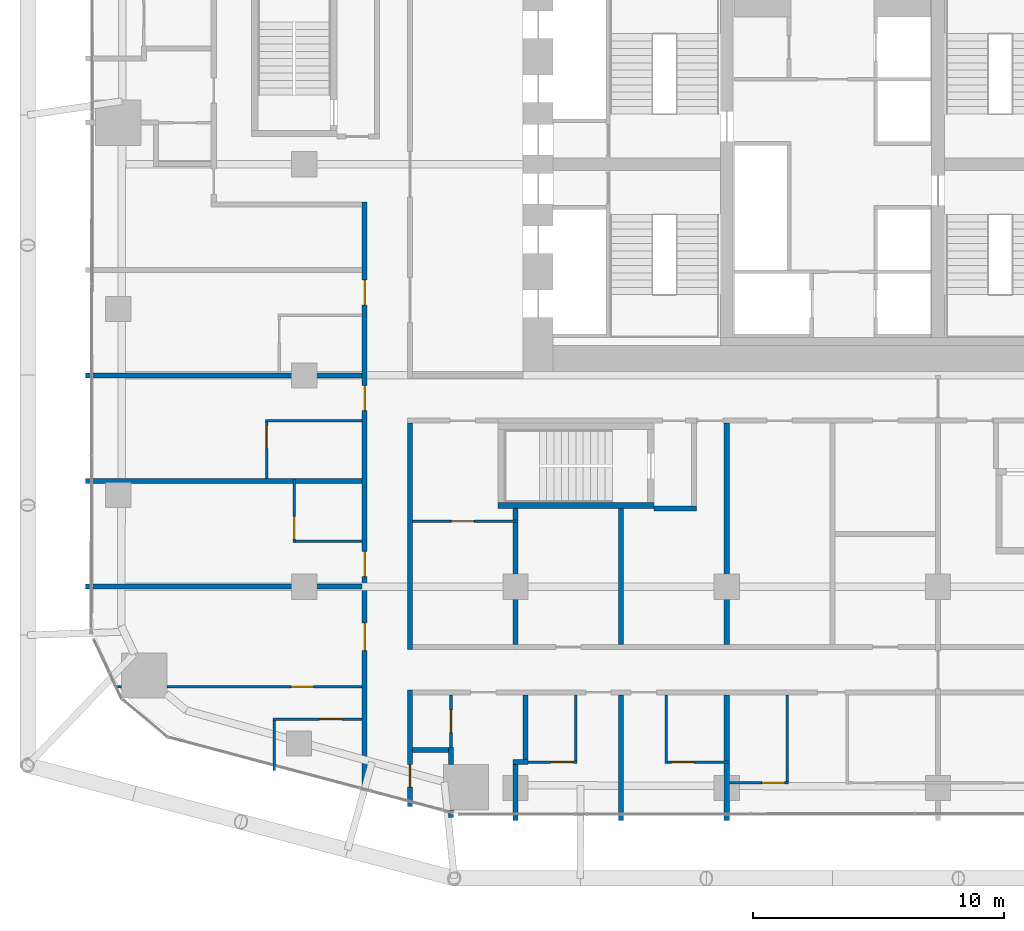
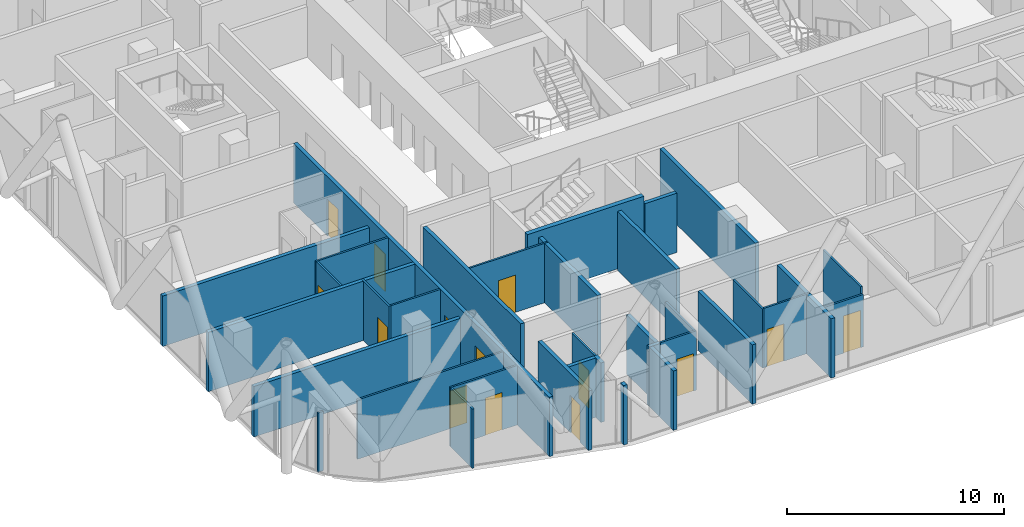
# One storey, part 28 of 38: 35 walls, 14 doors, 14 openings.
"""IFC4 building model written with IfcOpenShell, lengths in metres."""

from ifc_helpers import new_model, si_unit, direction, frame, frame_2d, origin, place, context, subcontext, project, spatial, rectangle, extrude, material, layer, layer_set, type_object, element, fill, save


model = new_model("IFC4")

# Units and contexts
model_context = context("Model", 3, precision=1e-05, world=origin(), true_north=direction((0.0, 1.0)))
body_context = subcontext(model_context, "Body", "Model", "MODEL_VIEW")
ifc_project = project(units=[si_unit("LENGTHUNIT", "METRE"), si_unit("AREAUNIT", "SQUARE_METRE"), si_unit("VOLUMEUNIT", "CUBIC_METRE"), si_unit("PLANEANGLEUNIT", "RADIAN"), si_unit("MASSUNIT", "GRAM", prefix="KILO")], contexts=[model_context])

# Site, building, storey
site_placement = place(None, origin())
site = spatial("IfcSite", under=ifc_project, at=site_placement, CompositionType="ELEMENT")
building_placement = place(site_placement, origin())
building = spatial("IfcBuilding", under=site, at=building_placement, Name="Marenta Gate Hotel Tower", CompositionType="ELEMENT")
storey_placement = place(building_placement, frame((0.0, 0.0, 54.5)))
storey = spatial("IfcBuildingStorey", under=building, at=storey_placement, Name="L11", CompositionType="ELEMENT", Elevation=54.5)

# Wall
ifc_material_1 = material(Name="Concrete C40", Category="concrete")
ifc_layer_1 = layer(ifc_material_1, 0.25)
ifc_layer_set_1 = layer_set([ifc_layer_1], Name="Concrete C40")
wall_type_1 = type_object("IfcWallType", Name="Remote stair enclosure wall 250 REI 180", PredefinedType="SHEAR", material=ifc_layer_set_1)
wall_1_placement = place(storey_placement, frame((-13.300048828125, -5.175048828125, 0.10009765625), z_axis=(0.0, 0.0, 1.0), x_axis=(1.0, 0.0, 0.0)))
element("IfcWall", 1, at=wall_1_placement, inside=storey, type_object=wall_type_1, Name="L11-RS-Z1-2-W1", PredefinedType="SHEAR", context=body_context, shape_type="SweptSolid", body=[
    extrude(rectangle(XDim=6.199951171875, YDim=0.25, at=frame_2d((3.10009765625, 0.0))), origin(), (0.0, 0.0, 1.0), 3.599853515625),
])

# Wall, opening, door
ifc_material_2 = material(Name="Concrete blockwork", Category="masonry")
ifc_layer_2 = layer(ifc_material_2, 0.199951171875)
ifc_layer_set_2 = layer_set([ifc_layer_2], Name="Concrete blockwork")
wall_type_2 = type_object("IfcWallType", Name="Room corridor wall 200 EI 120", PredefinedType="PARTITIONING", material=ifc_layer_set_2)
wall_2_placement = place(storey_placement, frame((-16.800048828125, -17.14306640625, 0.0), z_axis=(0.0, 0.0, 1.0), x_axis=(0.0, 1.0, 0.0)))
wall_2 = element("IfcWall", 2, at=wall_2_placement, inside=storey, type_object=wall_type_2, Name="L11-PTN-W109", PredefinedType="PARTITIONING", context=body_context, shape_type="SweptSolid", body=[
    extrude(rectangle(XDim=4.64306640625, YDim=0.199951171875, at=frame_2d((2.321533203125, 0.0))), origin(), (0.0, 0.0, 1.0), 3.340087890625),
])
opening_1_placement = place(wall_2_placement, frame((0.77197265625, 0.0, 0.0)))
opening_1 = element("IfcOpeningElement", 3, at=opening_1_placement, cuts=wall_2, Name="Opening G04-82", PredefinedType="OPENING", context=body_context, shape_type="SweptSolid", body=[
    extrude(rectangle(XDim=0.89990234375, YDim=2.10009765625, at=frame_2d((0.449951171875, 1.050048828125))), frame((0.0, 0.10009765625, 0.0), z_axis=(0.0, -1.0, 0.0), x_axis=(1.0, 0.0, 0.0)), (0.0, 0.0, 1.0), 0.199951171875),
])
ifc_material_3 = material(Name="Hollow steel door set", Category="steel")
door_type_1 = type_object("IfcDoorType", Name="Room service door 900x2100 EI 60", OperationType="NOTDEFINED", PredefinedType="DOOR", material=ifc_material_3)
door_1_placement = place(opening_1_placement, origin())
door_1 = element("IfcDoor", 4, at=door_1_placement, inside=storey, type_object=door_type_1, Name="L11-PD-D082", OperationType="SINGLE_SWING_LEFT", OverallHeight=2.10009765625, OverallWidth=0.89990234375, PredefinedType="DOOR", context=body_context, shape_type="SweptSolid", body=[
    extrude(rectangle(XDim=0.89990234375, YDim=2.10009765625, at=frame_2d((0.449951171875, 1.050048828125))), frame((0.0, 0.02490234375, 0.0), z_axis=(0.0, -1.0, 0.0), x_axis=(1.0, 0.0, 0.0)), (0.0, 0.0, 1.0), 0.050048828125),
])
fill(opening_1, door_1)

# Wall
ifc_material_4 = material(Name="Gypsum board on steel stud", Category="steel")
ifc_layer_3 = layer(ifc_material_4, 0.199951171875)
ifc_layer_set_3 = layer_set([ifc_layer_3], Name="Gypsum board on steel stud")
wall_type_3 = type_object("IfcWallType", Name="Room corridor wall 200 EI 60", PredefinedType="PARTITIONING", material=ifc_layer_set_3)
wall_3_placement = place(storey_placement, frame((-16.800048828125, -10.89990234375, 0.0), z_axis=(0.0, 0.0, 1.0), x_axis=(0.0, 1.0, 0.0)))
element("IfcWall", 5, at=wall_3_placement, inside=storey, type_object=wall_type_3, Name="L11-PTN-W110", PredefinedType="PARTITIONING", context=body_context, shape_type="SweptSolid", body=[
    extrude(rectangle(XDim=9.0, YDim=0.199951171875, at=frame_2d((4.5, 0.0))), origin(), (0.0, 0.0, 1.0), 3.340087890625),
])

# Wall, openings, doors
wall_4_placement = place(storey_placement, frame((-18.60009765625, -16.6650390625, 0.0), z_axis=(0.0, 0.0, 1.0), x_axis=(0.0, 1.0, 0.0)))
wall_4 = element("IfcWall", 6, at=wall_4_placement, inside=storey, type_object=wall_type_3, Name="L11-PTN-W118", PredefinedType="PARTITIONING", context=body_context, shape_type="SweptSolid", body=[
    extrude(rectangle(XDim=23.56494140625, YDim=0.199951171875, at=frame_2d((11.782470703125, 0.0))), origin(), (0.0, 0.0, 1.0), 3.340087890625),
])
opening_2_placement = place(wall_4_placement, frame((5.72412109375, 0.0, 0.0)))
opening_2 = element("IfcOpeningElement", 7, at=opening_2_placement, cuts=wall_4, Name="Opening G04-50", PredefinedType="OPENING", context=body_context, shape_type="SweptSolid", body=[
    extrude(rectangle(XDim=1.10009765625, YDim=2.10009765625, at=frame_2d((0.550048828125, 1.050048828125))), frame((0.0, 0.10009765625, 0.0), z_axis=(0.0, -1.0, 0.0), x_axis=(1.0, 0.0, 0.0)), (0.0, 0.0, 1.0), 0.199951171875),
])
opening_3_placement = place(wall_4_placement, frame((8.6650390625, 0.0, 0.0)))
opening_3 = element("IfcOpeningElement", 8, at=opening_3_placement, cuts=wall_4, Name="Opening G04-53", PredefinedType="OPENING", context=body_context, shape_type="SweptSolid", body=[
    extrude(rectangle(XDim=1.0, YDim=2.10009765625, at=frame_2d((0.5, 1.050048828125))), frame((0.0, 0.10009765625, 0.0), z_axis=(0.0, -1.0, 0.0), x_axis=(1.0, 0.0, 0.0)), (0.0, 0.0, 1.0), 0.199951171875),
])
opening_4_placement = place(wall_4_placement, frame((15.264892578125, 0.0, 0.0)))
opening_4 = element("IfcOpeningElement", 9, at=opening_4_placement, cuts=wall_4, Name="Opening G04-55", PredefinedType="OPENING", context=body_context, shape_type="SweptSolid", body=[
    extrude(rectangle(XDim=1.0, YDim=2.10009765625, at=frame_2d((0.5, 1.050048828125))), frame((0.0, 0.10009765625, 0.0), z_axis=(0.0, -1.0, 0.0), x_axis=(1.0, 0.0, 0.0)), (0.0, 0.0, 1.0), 0.199951171875),
])
opening_5_placement = place(wall_4_placement, frame((19.465087890625, 0.0, 0.0)))
opening_5 = element("IfcOpeningElement", 10, at=opening_5_placement, cuts=wall_4, Name="Opening G04-57", PredefinedType="OPENING", context=body_context, shape_type="SweptSolid", body=[
    extrude(rectangle(XDim=1.0, YDim=2.10009765625, at=frame_2d((0.5, 1.050048828125))), frame((0.0, 0.10009765625, 0.0), z_axis=(0.0, -1.0, 0.0), x_axis=(1.0, 0.0, 0.0)), (0.0, 0.0, 1.0), 0.199951171875),
])
ifc_material_5 = material(Name="Timber door leaf", Category="wood")
door_type_2 = type_object("IfcDoorType", Name="Guest room door 1000x2100 EI 30", OperationType="NOTDEFINED", PredefinedType="DOOR", material=ifc_material_5)
door_2_placement = place(opening_3_placement, origin())
door_2 = element("IfcDoor", 11, at=door_2_placement, inside=storey, type_object=door_type_2, Name="L11-PD-D053", OperationType="SINGLE_SWING_RIGHT", OverallHeight=2.10009765625, OverallWidth=1.0, PredefinedType="DOOR", context=body_context, shape_type="SweptSolid", body=[
    extrude(rectangle(XDim=1.0, YDim=2.10009765625, at=frame_2d((0.5, 1.050048828125))), frame((0.0, 0.02490234375, 0.0), z_axis=(0.0, -1.0, 0.0), x_axis=(1.0, 0.0, 0.0)), (0.0, 0.0, 1.0), 0.050048828125),
])
fill(opening_3, door_2)
door_3_placement = place(opening_4_placement, origin())
door_3 = element("IfcDoor", 12, at=door_3_placement, inside=storey, type_object=door_type_2, Name="L11-PD-D055", OperationType="SINGLE_SWING_RIGHT", OverallHeight=2.10009765625, OverallWidth=1.0, PredefinedType="DOOR", context=body_context, shape_type="SweptSolid", body=[
    extrude(rectangle(XDim=1.0, YDim=2.10009765625, at=frame_2d((0.5, 1.050048828125))), frame((0.0, 0.02490234375, 0.0), z_axis=(0.0, -1.0, 0.0), x_axis=(1.0, 0.0, 0.0)), (0.0, 0.0, 1.0), 0.050048828125),
])
fill(opening_4, door_3)
door_4_placement = place(opening_5_placement, origin())
door_4 = element("IfcDoor", 13, at=door_4_placement, inside=storey, type_object=door_type_2, Name="L11-PD-D057", OperationType="SINGLE_SWING_RIGHT", OverallHeight=2.10009765625, OverallWidth=1.0, PredefinedType="DOOR", context=body_context, shape_type="SweptSolid", body=[
    extrude(rectangle(XDim=1.0, YDim=2.10009765625, at=frame_2d((0.5, 1.050048828125))), frame((0.0, 0.02490234375, 0.0), z_axis=(0.0, -1.0, 0.0), x_axis=(1.0, 0.0, 0.0)), (0.0, 0.0, 1.0), 0.050048828125),
])
fill(opening_5, door_4)
ifc_material_6 = material(Name="Timber door leaf", Category="wood")
door_type_3 = type_object("IfcDoorType", Name="Guest room door 1100x2100 EI 30", OperationType="NOTDEFINED", PredefinedType="DOOR", material=ifc_material_6)
door_5_placement = place(opening_2_placement, origin())
door_5 = element("IfcDoor", 14, at=door_5_placement, inside=storey, type_object=door_type_3, Name="L11-PD-D050", OperationType="SINGLE_SWING_RIGHT", OverallHeight=2.10009765625, OverallWidth=1.10009765625, PredefinedType="DOOR", context=body_context, shape_type="SweptSolid", body=[
    extrude(rectangle(XDim=1.10009765625, YDim=2.10009765625, at=frame_2d((0.550048828125, 1.050048828125))), frame((0.0, 0.02490234375, 0.0), z_axis=(0.0, -1.0, 0.0), x_axis=(1.0, 0.0, 0.0)), (0.0, 0.0, 1.0), 0.050048828125),
])
fill(opening_2, door_5)

# Wall, opening, door
ifc_material_7 = material(Name="Gypsum board on steel stud", Category="steel")
ifc_layer_4 = layer(ifc_material_7, 0.10009765625)
ifc_layer_set_4 = layer_set([ifc_layer_4], Name="Gypsum board on steel stud")
wall_type_4 = type_object("IfcWallType", Name="Room partition 100", PredefinedType="PARTITIONING", material=ifc_layer_set_4)
wall_5_placement = place(storey_placement, frame((-4.10009765625, -16.199951171875, 0.0), z_axis=(0.0, 0.0, 1.0), x_axis=(1.0, 0.0, 0.0)))
wall_5 = element("IfcWall", 15, at=wall_5_placement, inside=storey, type_object=wall_type_4, Name="L11-PTN-W014", PredefinedType="PARTITIONING", context=body_context, shape_type="SweptSolid", body=[
    extrude(rectangle(XDim=2.35009765625, YDim=0.10009765625, at=frame_2d((1.175048828125, 0.0))), origin(), (0.0, 0.0, 1.0), 2.93994140625),
])
opening_6_placement = place(wall_5_placement, frame((1.300048828125, 0.0, 0.0)))
opening_6 = element("IfcOpeningElement", 16, at=opening_6_placement, cuts=wall_5, Name="Opening G04-46", PredefinedType="OPENING", context=body_context, shape_type="SweptSolid", body=[
    extrude(rectangle(XDim=0.89990234375, YDim=2.10009765625, at=frame_2d((0.449951171875, 1.050048828125))), frame((0.0, 0.050048828125, 0.0), z_axis=(0.0, -1.0, 0.0), x_axis=(1.0, 0.0, 0.0)), (0.0, 0.0, 1.0), 0.10009765625),
])
ifc_material_8 = material(Name="Timber door leaf", Category="wood")
door_type_4 = type_object("IfcDoorType", Name="Room inner door 900x2100", OperationType="NOTDEFINED", PredefinedType="DOOR", material=ifc_material_8)
door_6_placement = place(opening_6_placement, origin())
door_6 = element("IfcDoor", 17, at=door_6_placement, inside=storey, type_object=door_type_4, Name="L11-PD-D046", OperationType="SINGLE_SWING_RIGHT", OverallHeight=2.10009765625, OverallWidth=0.89990234375, PredefinedType="DOOR", context=body_context, shape_type="SweptSolid", body=[
    extrude(rectangle(XDim=0.89990234375, YDim=2.10009765625, at=frame_2d((0.449951171875, 1.050048828125))), frame((0.0, 0.02490234375, 0.0), z_axis=(0.0, -1.0, 0.0), x_axis=(1.0, 0.0, 0.0)), (0.0, 0.0, 1.0), 0.050048828125),
])
fill(opening_6, door_6)

wall_6_placement = place(storey_placement, frame((-12.10009765625, -15.375, 0.0), z_axis=(0.0, 0.0, 1.0), x_axis=(1.0, 0.0, 0.0)))
wall_6 = element("IfcWall", 18, at=wall_6_placement, inside=storey, type_object=wall_type_4, Name="L11-PTN-W019", PredefinedType="PARTITIONING", context=body_context, shape_type="SweptSolid", body=[
    extrude(rectangle(XDim=1.9501953125, YDim=0.10009765625, at=frame_2d((0.97509765625, 0.0))), origin(), (0.0, 0.0, 1.0), 3.340087890625),
])
opening_7_placement = place(wall_6_placement, frame((0.89990234375, 0.0, 0.0)))
opening_7 = element("IfcOpeningElement", 19, at=opening_7_placement, cuts=wall_6, Name="Opening G04-41", PredefinedType="OPENING", context=body_context, shape_type="SweptSolid", body=[
    extrude(rectangle(XDim=0.89990234375, YDim=2.10009765625, at=frame_2d((0.449951171875, 1.050048828125))), frame((0.0, 0.050048828125, 0.0), z_axis=(0.0, -1.0, 0.0), x_axis=(1.0, 0.0, 0.0)), (0.0, 0.0, 1.0), 0.10009765625),
])
ifc_material_9 = material(Name="Timber door leaf", Category="wood")
door_type_5 = type_object("IfcDoorType", Name="Guest bathroom door 900x2100", OperationType="NOTDEFINED", PredefinedType="DOOR", material=ifc_material_9)
door_7_placement = place(opening_7_placement, origin())
door_7 = element("IfcDoor", 20, at=door_7_placement, inside=storey, type_object=door_type_5, Name="L11-PD-D041", OperationType="SINGLE_SWING_RIGHT", OverallHeight=2.10009765625, OverallWidth=0.89990234375, PredefinedType="DOOR", context=body_context, shape_type="SweptSolid", body=[
    extrude(rectangle(XDim=0.89990234375, YDim=2.10009765625, at=frame_2d((0.449951171875, 1.050048828125))), frame((0.0, 0.02490234375, 0.0), z_axis=(0.0, -1.0, 0.0), x_axis=(1.0, 0.0, 0.0)), (0.0, 0.0, 1.0), 0.050048828125),
])
fill(opening_7, door_7)

wall_7_placement = place(storey_placement, frame((-6.550048828125, -15.375, 0.0), z_axis=(0.0, 0.0, 1.0), x_axis=(1.0, 0.0, 0.0)))
wall_7 = element("IfcWall", 21, at=wall_7_placement, inside=storey, type_object=wall_type_4, Name="L11-PTN-W020", PredefinedType="PARTITIONING", context=body_context, shape_type="SweptSolid", body=[
    extrude(rectangle(XDim=2.449951171875, YDim=0.10009765625, at=frame_2d((1.22509765625, 0.0))), origin(), (0.0, 0.0, 1.0), 3.340087890625),
])
opening_8_placement = place(wall_7_placement, frame((0.14990234375, 0.0, 0.0)))
opening_8 = element("IfcOpeningElement", 22, at=opening_8_placement, cuts=wall_7, Name="Opening G04-43", PredefinedType="OPENING", context=body_context, shape_type="SweptSolid", body=[
    extrude(rectangle(XDim=0.89990234375, YDim=2.10009765625, at=frame_2d((0.449951171875, 1.050048828125))), frame((0.0, 0.050048828125, 0.0), z_axis=(0.0, -1.0, 0.0), x_axis=(1.0, 0.0, 0.0)), (0.0, 0.0, 1.0), 0.10009765625),
])
door_8_placement = place(opening_8_placement, origin())
door_8 = element("IfcDoor", 23, at=door_8_placement, inside=storey, type_object=door_type_5, Name="L11-PD-D043", OperationType="SINGLE_SWING_LEFT", OverallHeight=2.10009765625, OverallWidth=0.89990234375, PredefinedType="DOOR", context=body_context, shape_type="SweptSolid", body=[
    extrude(rectangle(XDim=0.89990234375, YDim=2.10009765625, at=frame_2d((0.449951171875, 1.050048828125))), frame((0.0, 0.02490234375, 0.0), z_axis=(0.0, -1.0, 0.0), x_axis=(1.0, 0.0, 0.0)), (0.0, 0.0, 1.0), 0.050048828125),
])
fill(opening_8, door_8)

wall_8_placement = place(storey_placement, frame((-22.25, -13.6650390625, 0.0), z_axis=(0.0, 0.0, 1.0), x_axis=(1.0, 0.0, 0.0)))
wall_8 = element("IfcWall", 24, at=wall_8_placement, inside=storey, type_object=wall_type_4, Name="L11-PTN-W027", PredefinedType="PARTITIONING", context=body_context, shape_type="SweptSolid", body=[
    extrude(rectangle(XDim=3.550048828125, YDim=0.10009765625, at=frame_2d((1.77490234375, 0.0))), origin(), (0.0, 0.0, 1.0), 3.340087890625),
])
opening_9_placement = place(wall_8_placement, frame((1.85009765625, 0.0, 0.0)))
opening_9 = element("IfcOpeningElement", 25, at=opening_9_placement, cuts=wall_8, Name="Opening G04-52", PredefinedType="OPENING", context=body_context, shape_type="SweptSolid", body=[
    extrude(rectangle(XDim=0.89990234375, YDim=2.10009765625, at=frame_2d((0.449951171875, 1.050048828125))), frame((0.0, 0.050048828125, 0.0), z_axis=(0.0, -1.0, 0.0), x_axis=(1.0, 0.0, 0.0)), (0.0, 0.0, 1.0), 0.10009765625),
])
door_9_placement = place(opening_9_placement, origin())
door_9 = element("IfcDoor", 26, at=door_9_placement, inside=storey, type_object=door_type_5, Name="L11-PD-D052", OperationType="SINGLE_SWING_RIGHT", OverallHeight=2.10009765625, OverallWidth=0.89990234375, PredefinedType="DOOR", context=body_context, shape_type="SweptSolid", body=[
    extrude(rectangle(XDim=0.89990234375, YDim=2.10009765625, at=frame_2d((0.449951171875, 1.050048828125))), frame((0.0, 0.02490234375, 0.0), z_axis=(0.0, -1.0, 0.0), x_axis=(1.0, 0.0, 0.0)), (0.0, 0.0, 1.0), 0.050048828125),
])
fill(opening_9, door_9)

# Wall
wall_9_placement = place(storey_placement, frame((-28.552978515625, -12.383056640625, 0.0), z_axis=(0.0, 0.0, 1.0), x_axis=(1.0, 0.0, 0.0)))
element("IfcWall", 27, at=wall_9_placement, inside=storey, type_object=wall_type_4, Name="L11-PTN-W031", PredefinedType="PARTITIONING", context=body_context, shape_type="SweptSolid", body=[
    extrude(rectangle(XDim=0.2900390625, YDim=0.10009765625, at=frame_2d((0.14501953125, 0.0))), origin(), (0.0, 0.0, 1.0), 3.340087890625),
])

# Wall, opening, door
wall_10_placement = place(storey_placement, frame((-26.462890625, -12.383056640625, 0.0), z_axis=(0.0, 0.0, 1.0), x_axis=(1.0, 0.0, 0.0)))
wall_10 = element("IfcWall", 28, at=wall_10_placement, inside=storey, type_object=wall_type_4, Name="L11-PTN-W157", PredefinedType="PARTITIONING", context=body_context, shape_type="SweptSolid", body=[
    extrude(rectangle(XDim=7.762939453125, YDim=0.10009765625, at=frame_2d((3.88134765625, 0.0))), origin(), (0.0, 0.0, 1.0), 3.340087890625),
])
opening_10_placement = place(wall_10_placement, frame((4.93310546875, 0.0, 0.0)))
opening_10 = element("IfcOpeningElement", 29, at=opening_10_placement, cuts=wall_10, Name="Opening G04-51", PredefinedType="OPENING", context=body_context, shape_type="SweptSolid", body=[
    extrude(rectangle(XDim=0.89990234375, YDim=2.10009765625, at=frame_2d((0.449951171875, 1.050048828125))), frame((0.0, 0.050048828125, 0.0), z_axis=(0.0, -1.0, 0.0), x_axis=(1.0, 0.0, 0.0)), (0.0, 0.0, 1.0), 0.10009765625),
])
door_10_placement = place(opening_10_placement, origin())
door_10 = element("IfcDoor", 30, at=door_10_placement, inside=storey, type_object=door_type_4, Name="L11-PD-D051", OperationType="SINGLE_SWING_LEFT", OverallHeight=2.10009765625, OverallWidth=0.89990234375, PredefinedType="DOOR", context=body_context, shape_type="SweptSolid", body=[
    extrude(rectangle(XDim=0.89990234375, YDim=2.10009765625, at=frame_2d((0.449951171875, 1.050048828125))), frame((0.0, 0.02490234375, 0.0), z_axis=(0.0, -1.0, 0.0), x_axis=(1.0, 0.0, 0.0)), (0.0, 0.0, 1.0), 0.050048828125),
])
fill(opening_10, door_10)

# Wall
wall_11_placement = place(storey_placement, frame((-21.35009765625, -6.60009765625, 0.0), z_axis=(0.0, 0.0, 1.0), x_axis=(1.0, 0.0, 0.0)))
element("IfcWall", 31, at=wall_11_placement, inside=storey, type_object=wall_type_4, Name="L11-PTN-W045", PredefinedType="PARTITIONING", context=body_context, shape_type="SweptSolid", body=[
    extrude(rectangle(XDim=2.650146484375, YDim=0.10009765625, at=frame_2d((1.3251953125, 0.0))), origin(), (0.0, 0.0, 1.0), 3.340087890625),
])

# Wall, opening, door
wall_12_placement = place(storey_placement, frame((-16.699951171875, -5.800048828125, 0.0), z_axis=(0.0, 0.0, 1.0), x_axis=(1.0, 0.0, 0.0)))
wall_12 = element("IfcWall", 32, at=wall_12_placement, inside=storey, type_object=wall_type_4, Name="L11-PTN-W050", PredefinedType="PARTITIONING", context=body_context, shape_type="SweptSolid", body=[
    extrude(rectangle(XDim=4.199951171875, YDim=0.10009765625, at=frame_2d((2.10009765625, 0.0))), origin(), (0.0, 0.0, 1.0), 3.340087890625),
])
opening_11_placement = place(wall_12_placement, frame((1.550048828125, 0.0, 0.0)))
opening_11 = element("IfcOpeningElement", 33, at=opening_11_placement, cuts=wall_12, Name="Opening G04-06", PredefinedType="OPENING", context=body_context, shape_type="SweptSolid", body=[
    extrude(rectangle(XDim=0.89990234375, YDim=2.10009765625, at=frame_2d((0.449951171875, 1.050048828125))), frame((0.0, 0.050048828125, 0.0), z_axis=(0.0, -1.0, 0.0), x_axis=(1.0, 0.0, 0.0)), (0.0, 0.0, 1.0), 0.10009765625),
])
door_11_placement = place(opening_11_placement, origin())
door_11 = element("IfcDoor", 34, at=door_11_placement, inside=storey, type_object=door_type_4, Name="L11-PD-D006", OperationType="SINGLE_SWING_RIGHT", OverallHeight=2.10009765625, OverallWidth=0.89990234375, PredefinedType="DOOR", context=body_context, shape_type="SweptSolid", body=[
    extrude(rectangle(XDim=0.89990234375, YDim=2.10009765625, at=frame_2d((0.449951171875, 1.050048828125))), frame((0.0, 0.02490234375, 0.0), z_axis=(0.0, -1.0, 0.0), x_axis=(1.0, 0.0, 0.0)), (0.0, 0.0, 1.0), 0.050048828125),
])
fill(opening_11, door_11)

# Walls
wall_13_placement = place(storey_placement, frame((-22.550048828125, -1.800048828125, 0.0), z_axis=(0.0, 0.0, 1.0), x_axis=(1.0, 0.0, 0.0)))
element("IfcWall", 35, at=wall_13_placement, inside=storey, type_object=wall_type_4, Name="L11-PTN-W061", PredefinedType="PARTITIONING", context=body_context, shape_type="SweptSolid", body=[
    extrude(rectangle(XDim=3.85009765625, YDim=0.10009765625, at=frame_2d((1.925048828125, 0.0))), origin(), (0.0, 0.0, 1.0), 3.340087890625),
])
wall_14_placement = place(storey_placement, frame((-1.800048828125, -16.14990234375, 0.0), z_axis=(0.0, 0.0, 1.0), x_axis=(0.0, 1.0, 0.0)))
element("IfcWall", 36, at=wall_14_placement, inside=storey, type_object=wall_type_4, Name="L11-PTN-W072", PredefinedType="PARTITIONING", context=body_context, shape_type="SweptSolid", body=[
    extrude(rectangle(XDim=3.449951171875, YDim=0.10009765625, at=frame_2d((1.72509765625, 0.0))), origin(), (0.0, 0.0, 1.0), 3.340087890625),
])
wall_15_placement = place(storey_placement, frame((-6.60009765625, -15.425048828125, 0.0), z_axis=(0.0, 0.0, 1.0), x_axis=(0.0, 1.0, 0.0)))
element("IfcWall", 37, at=wall_15_placement, inside=storey, type_object=wall_type_4, Name="L11-PTN-W084", PredefinedType="PARTITIONING", context=body_context, shape_type="SweptSolid", body=[
    extrude(rectangle(XDim=2.72509765625, YDim=0.10009765625, at=frame_2d((1.362548828125, 0.0))), origin(), (0.0, 0.0, 1.0), 3.340087890625),
])
wall_16_placement = place(storey_placement, frame((-10.199951171875, -15.324951171875, 0.0), z_axis=(0.0, 0.0, 1.0), x_axis=(0.0, 1.0, 0.0)))
element("IfcWall", 38, at=wall_16_placement, inside=storey, type_object=wall_type_4, Name="L11-PTN-W095", PredefinedType="PARTITIONING", context=body_context, shape_type="SweptSolid", body=[
    extrude(rectangle(XDim=2.625, YDim=0.10009765625, at=frame_2d((1.3125, 0.0))), origin(), (0.0, 0.0, 1.0), 3.340087890625),
])

# Wall, opening, door
wall_17_placement = place(storey_placement, frame((-15.166015625, -15.0, 0.0), z_axis=(0.0, 0.0, 1.0), x_axis=(0.0, 1.0, 0.0)))
wall_17 = element("IfcWall", 39, at=wall_17_placement, inside=storey, type_object=wall_type_4, Name="L11-PTN-W107", PredefinedType="PARTITIONING", context=body_context, shape_type="SweptSolid", body=[
    extrude(rectangle(XDim=2.300048828125, YDim=0.10009765625, at=frame_2d((1.14990234375, 0.0))), origin(), (0.0, 0.0, 1.0), 3.340087890625),
])
opening_12_placement = place(wall_17_placement, frame((0.800048828125, 0.0, 0.0)))
opening_12 = element("IfcOpeningElement", 40, at=opening_12_placement, cuts=wall_17, Name="Opening G04-81", PredefinedType="OPENING", context=body_context, shape_type="SweptSolid", body=[
    extrude(rectangle(XDim=0.89990234375, YDim=2.10009765625, at=frame_2d((0.449951171875, 1.050048828125))), frame((0.0, 0.050048828125, 0.0), z_axis=(0.0, -1.0, 0.0), x_axis=(1.0, 0.0, 0.0)), (0.0, 0.0, 1.0), 0.10009765625),
])
door_12_placement = place(opening_12_placement, origin())
door_12 = element("IfcDoor", 41, at=door_12_placement, inside=storey, type_object=door_type_5, Name="L11-PD-D081", OperationType="SINGLE_SWING_RIGHT", OverallHeight=2.10009765625, OverallWidth=0.89990234375, PredefinedType="DOOR", context=body_context, shape_type="SweptSolid", body=[
    extrude(rectangle(XDim=0.89990234375, YDim=2.10009765625, at=frame_2d((0.449951171875, 1.050048828125))), frame((0.0, 0.02490234375, 0.0), z_axis=(0.0, -1.0, 0.0), x_axis=(1.0, 0.0, 0.0)), (0.0, 0.0, 1.0), 0.050048828125),
])
fill(opening_12, door_12)

wall_18_placement = place(storey_placement, frame((-21.39990234375, -6.64990234375, 0.0), z_axis=(0.0, 0.0, 1.0), x_axis=(0.0, 1.0, 0.0)))
wall_18 = element("IfcWall", 42, at=wall_18_placement, inside=storey, type_object=wall_type_4, Name="L11-PTN-W124", PredefinedType="PARTITIONING", context=body_context, shape_type="SweptSolid", body=[
    extrude(rectangle(XDim=2.5498046875, YDim=0.10009765625, at=frame_2d((1.27490234375, 0.0))), origin(), (0.0, 0.0, 1.0), 3.340087890625),
])
opening_13_placement = place(wall_18_placement, frame((0.14990234375, 0.0, 0.0)))
opening_13 = element("IfcOpeningElement", 43, at=opening_13_placement, cuts=wall_18, Name="Opening G04-54", PredefinedType="OPENING", context=body_context, shape_type="SweptSolid", body=[
    extrude(rectangle(XDim=0.89990234375, YDim=2.10009765625, at=frame_2d((0.449951171875, 1.050048828125))), frame((0.0, 0.050048828125, 0.0), z_axis=(0.0, -1.0, 0.0), x_axis=(1.0, 0.0, 0.0)), (0.0, 0.0, 1.0), 0.10009765625),
])
door_13_placement = place(opening_13_placement, origin())
door_13 = element("IfcDoor", 44, at=door_13_placement, inside=storey, type_object=door_type_5, Name="L11-PD-D054", OperationType="SINGLE_SWING_RIGHT", OverallHeight=2.10009765625, OverallWidth=0.89990234375, PredefinedType="DOOR", context=body_context, shape_type="SweptSolid", body=[
    extrude(rectangle(XDim=0.89990234375, YDim=2.10009765625, at=frame_2d((0.449951171875, 1.050048828125))), frame((0.0, 0.02490234375, 0.0), z_axis=(0.0, -1.0, 0.0), x_axis=(1.0, 0.0, 0.0)), (0.0, 0.0, 1.0), 0.050048828125),
])
fill(opening_13, door_13)

# Wall
wall_19_placement = place(storey_placement, frame((-22.199951171875, -15.7099609375, 0.0), z_axis=(0.0, 0.0, 1.0), x_axis=(0.0, 1.0, 0.0)))
element("IfcWall", 45, at=wall_19_placement, inside=storey, type_object=wall_type_4, Name="L11-PTN-W130", PredefinedType="PARTITIONING", context=body_context, shape_type="SweptSolid", body=[
    extrude(rectangle(XDim=1.994873046875, YDim=0.10009765625, at=frame_2d((0.99755859375, 0.0))), origin(), (0.0, 0.0, 1.0), 3.340087890625),
])

# Wall, opening, door
wall_20_placement = place(storey_placement, frame((-22.5, -4.10009765625, 0.0), z_axis=(0.0, 0.0, 1.0), x_axis=(0.0, 1.0, 0.0)))
wall_20 = element("IfcWall", 46, at=wall_20_placement, inside=storey, type_object=wall_type_4, Name="L11-PTN-W131", PredefinedType="PARTITIONING", context=body_context, shape_type="SweptSolid", body=[
    extrude(rectangle(XDim=2.25, YDim=0.10009765625, at=frame_2d((1.125, 0.0))), origin(), (0.0, 0.0, 1.0), 3.340087890625),
])
opening_14_placement = place(wall_20_placement, frame((1.199951171875, 0.0, 0.0)))
opening_14 = element("IfcOpeningElement", 47, at=opening_14_placement, cuts=wall_20, Name="Opening G04-56", PredefinedType="OPENING", context=body_context, shape_type="SweptSolid", body=[
    extrude(rectangle(XDim=0.89990234375, YDim=2.10009765625, at=frame_2d((0.449951171875, 1.050048828125))), frame((0.0, 0.050048828125, 0.0), z_axis=(0.0, -1.0, 0.0), x_axis=(1.0, 0.0, 0.0)), (0.0, 0.0, 1.0), 0.10009765625),
])
door_14_placement = place(opening_14_placement, origin())
door_14 = element("IfcDoor", 48, at=door_14_placement, inside=storey, type_object=door_type_5, Name="L11-PD-D056", OperationType="SINGLE_SWING_LEFT", OverallHeight=2.10009765625, OverallWidth=0.89990234375, PredefinedType="DOOR", context=body_context, shape_type="SweptSolid", body=[
    extrude(rectangle(XDim=0.89990234375, YDim=2.10009765625, at=frame_2d((0.449951171875, 1.050048828125))), frame((0.0, 0.02490234375, 0.0), z_axis=(0.0, -1.0, 0.0), x_axis=(1.0, 0.0, 0.0)), (0.0, 0.0, 1.0), 0.050048828125),
])
fill(opening_14, door_14)

# Walls
ifc_material_10 = material(Name="Concrete blockwork", Category="masonry")
ifc_layer_5 = layer(ifc_material_10, 0.199951171875)
ifc_layer_set_5 = layer_set([ifc_layer_5], Name="Concrete blockwork")
wall_type_5 = type_object("IfcWallType", Name="Room party wall 200 EI 120", PredefinedType="PARTITIONING", material=ifc_layer_set_5)
wall_21_placement = place(storey_placement, frame((-16.699951171875, -14.89990234375, 0.0), z_axis=(0.0, 0.0, 1.0), x_axis=(1.0, 0.0, 0.0)))
element("IfcWall", 49, at=wall_21_placement, inside=storey, type_object=wall_type_5, Name="L11-PTN-W023", PredefinedType="PARTITIONING", context=body_context, shape_type="SweptSolid", body=[
    extrude(rectangle(XDim=1.48388671875, YDim=0.199951171875, at=frame_2d((0.741943359375, 0.0))), origin(), (0.0, 0.0, 1.0), 3.340087890625),
])
wall_22_placement = place(storey_placement, frame((-15.166015625, -17.572998046875, 0.0), z_axis=(0.0, 0.0, 1.0), x_axis=(0.0, 1.0, 0.0)))
element("IfcWall", 50, at=wall_22_placement, inside=storey, type_object=wall_type_5, Name="L11-PTN-W106", PredefinedType="PARTITIONING", context=body_context, shape_type="SweptSolid", body=[
    extrude(rectangle(XDim=0.298095703125, YDim=0.199951171875, at=frame_2d((0.14892578125, 0.0))), origin(), (0.0, 0.0, 1.0), 3.340087890625),
])
wall_23_placement = place(storey_placement, frame((-15.166015625, -15.47509765625, 0.0), z_axis=(0.0, 0.0, 1.0), x_axis=(0.0, 1.0, 0.0)))
element("IfcWall", 51, at=wall_23_placement, inside=storey, type_object=wall_type_5, Name="L11-PTN-W160", PredefinedType="PARTITIONING", context=body_context, shape_type="SweptSolid", body=[
    extrude(rectangle(XDim=0.675048828125, YDim=0.199951171875, at=frame_2d((0.33740234375, 0.0))), origin(), (0.0, 0.0, 1.0), 3.340087890625),
])
ifc_material_11 = material(Name="Gypsum board on steel stud", Category="steel")
ifc_layer_6 = layer(ifc_material_11, 0.199951171875)
ifc_layer_set_6 = layer_set([ifc_layer_6], Name="Gypsum board on steel stud")
wall_type_6 = type_object("IfcWallType", Name="Room party wall 200 EI 60", PredefinedType="PARTITIONING", material=ifc_layer_set_6)
wall_24_placement = place(storey_placement, frame((-12.699951171875, -15.375, 0.0), z_axis=(0.0, 0.0, 1.0), x_axis=(1.0, 0.0, 0.0)))
element("IfcWall", 52, at=wall_24_placement, inside=storey, type_object=wall_type_6, Name="L11-PTN-W018", PredefinedType="PARTITIONING", context=body_context, shape_type="SweptSolid", body=[
    extrude(rectangle(XDim=0.599853515625, YDim=0.199951171875, at=frame_2d((0.2998046875, 0.0))), origin(), (0.0, 0.0, 1.0), 3.340087890625),
])
wall_25_placement = place(storey_placement, frame((-29.699951171875, -8.39990234375, 0.0), z_axis=(0.0, 0.0, 1.0), x_axis=(1.0, 0.0, 0.0)))
element("IfcWall", 53, at=wall_25_placement, inside=storey, type_object=wall_type_6, Name="L11-PTN-W039", PredefinedType="PARTITIONING", context=body_context, shape_type="SweptSolid", body=[
    extrude(rectangle(XDim=11.0, YDim=0.199951171875, at=frame_2d((5.5, 0.0))), origin(), (0.0, 0.0, 1.0), 2.840087890625),
])
wall_26_placement = place(storey_placement, frame((-29.699951171875, -4.199951171875, 0.0), z_axis=(0.0, 0.0, 1.0), x_axis=(1.0, 0.0, 0.0)))
element("IfcWall", 54, at=wall_26_placement, inside=storey, type_object=wall_type_6, Name="L11-PTN-W056", PredefinedType="PARTITIONING", context=body_context, shape_type="SweptSolid", body=[
    extrude(rectangle(XDim=11.0, YDim=0.199951171875, at=frame_2d((5.5, 0.0))), origin(), (0.0, 0.0, 1.0), 3.340087890625),
])
wall_27_placement = place(storey_placement, frame((-29.699951171875, 0.0, 0.0), z_axis=(0.0, 0.0, 1.0), x_axis=(1.0, 0.0, 0.0)))
element("IfcWall", 55, at=wall_27_placement, inside=storey, type_object=wall_type_6, Name="L11-PTN-W069", PredefinedType="PARTITIONING", context=body_context, shape_type="SweptSolid", body=[
    extrude(rectangle(XDim=11.0, YDim=0.199951171875, at=frame_2d((5.5, 0.0))), origin(), (0.0, 0.0, 1.0), 2.840087890625),
])
wall_28_placement = place(storey_placement, frame((-4.199951171875, -17.699951171875, 0.0), z_axis=(0.0, 0.0, 1.0), x_axis=(0.0, 1.0, 0.0)))
element("IfcWall", 56, at=wall_28_placement, inside=storey, type_object=wall_type_6, Name="L11-PTN-W075", PredefinedType="PARTITIONING", context=body_context, shape_type="SweptSolid", body=[
    extrude(rectangle(XDim=5.0, YDim=0.199951171875, at=frame_2d((2.5, 0.0))), origin(), (0.0, 0.0, 1.0), 3.340087890625),
])
wall_29_placement = place(storey_placement, frame((-4.199951171875, -10.699951171875, 0.0), z_axis=(0.0, 0.0, 1.0), x_axis=(0.0, 1.0, 0.0)))
element("IfcWall", 57, at=wall_29_placement, inside=storey, type_object=wall_type_6, Name="L11-PTN-W076", PredefinedType="PARTITIONING", context=body_context, shape_type="SweptSolid", body=[
    extrude(rectangle(XDim=8.800048828125, YDim=0.199951171875, at=frame_2d((4.39990234375, 0.0))), origin(), (0.0, 0.0, 1.0), 3.340087890625),
])
wall_30_placement = place(storey_placement, frame((-8.39990234375, -17.699951171875, 0.0), z_axis=(0.0, 0.0, 1.0), x_axis=(0.0, 1.0, 0.0)))
element("IfcWall", 58, at=wall_30_placement, inside=storey, type_object=wall_type_6, Name="L11-PTN-W086", PredefinedType="PARTITIONING", context=body_context, shape_type="SweptSolid", body=[
    extrude(rectangle(XDim=5.0, YDim=0.199951171875, at=frame_2d((2.5, 0.0))), origin(), (0.0, 0.0, 1.0), 3.340087890625),
])
wall_31_placement = place(storey_placement, frame((-8.39990234375, -10.699951171875, 0.0), z_axis=(0.0, 0.0, 1.0), x_axis=(0.0, 1.0, 0.0)))
element("IfcWall", 59, at=wall_31_placement, inside=storey, type_object=wall_type_6, Name="L11-PTN-W087", PredefinedType="PARTITIONING", context=body_context, shape_type="SweptSolid", body=[
    extrude(rectangle(XDim=5.39990234375, YDim=0.199951171875, at=frame_2d((2.699951171875, 0.0))), origin(), (0.0, 0.0, 1.0), 3.340087890625),
])
wall_32_placement = place(storey_placement, frame((-12.199951171875, -15.27490234375, 0.0), z_axis=(0.0, 0.0, 1.0), x_axis=(0.0, 1.0, 0.0)))
element("IfcWall", 60, at=wall_32_placement, inside=storey, type_object=wall_type_6, Name="L11-PTN-W097", PredefinedType="PARTITIONING", context=body_context, shape_type="SweptSolid", body=[
    extrude(rectangle(XDim=2.574951171875, YDim=0.199951171875, at=frame_2d((1.28759765625, 0.0))), origin(), (0.0, 0.0, 1.0), 3.340087890625),
])
wall_33_placement = place(storey_placement, frame((-12.60009765625, -17.699951171875, 0.0), z_axis=(0.0, 0.0, 1.0), x_axis=(0.0, 1.0, 0.0)))
element("IfcWall", 61, at=wall_33_placement, inside=storey, type_object=wall_type_6, Name="L11-PTN-W098", PredefinedType="PARTITIONING", context=body_context, shape_type="SweptSolid", body=[
    extrude(rectangle(XDim=2.224853515625, YDim=0.199951171875, at=frame_2d((1.1123046875, 0.0))), origin(), (0.0, 0.0, 1.0), 3.340087890625),
])
wall_34_placement = place(storey_placement, frame((-12.60009765625, -10.699951171875, 0.0), z_axis=(0.0, 0.0, 1.0), x_axis=(0.0, 1.0, 0.0)))
element("IfcWall", 62, at=wall_34_placement, inside=storey, type_object=wall_type_6, Name="L11-PTN-W099", PredefinedType="PARTITIONING", context=body_context, shape_type="SweptSolid", body=[
    extrude(rectangle(XDim=5.39990234375, YDim=0.199951171875, at=frame_2d((2.699951171875, 0.0))), origin(), (0.0, 0.0, 1.0), 3.340087890625),
])
ifc_material_12 = material(Name="Concrete blockwork", Category="masonry")
ifc_layer_7 = layer(ifc_material_12, 0.199951171875)
ifc_layer_set_7 = layer_set([ifc_layer_7], Name="Concrete blockwork")
wall_type_7 = type_object("IfcWallType", Name="Room party wall 200 REI 180", PredefinedType="PARTITIONING", material=ifc_layer_set_7)
wall_35_placement = place(storey_placement, frame((-7.10009765625, -5.300048828125, 0.0), z_axis=(0.0, 0.0, 1.0), x_axis=(1.0, 0.0, 0.0)))
element("IfcWall", 63, at=wall_35_placement, inside=storey, type_object=wall_type_7, Name="L11-PTN-W051", PredefinedType="PARTITIONING", context=body_context, shape_type="SweptSolid", body=[
    extrude(rectangle(XDim=1.7001953125, YDim=0.199951171875, at=frame_2d((0.85009765625, 0.0))), origin(), (0.0, 0.0, 1.0), 3.340087890625),
])

save(model, "model.ifc")
